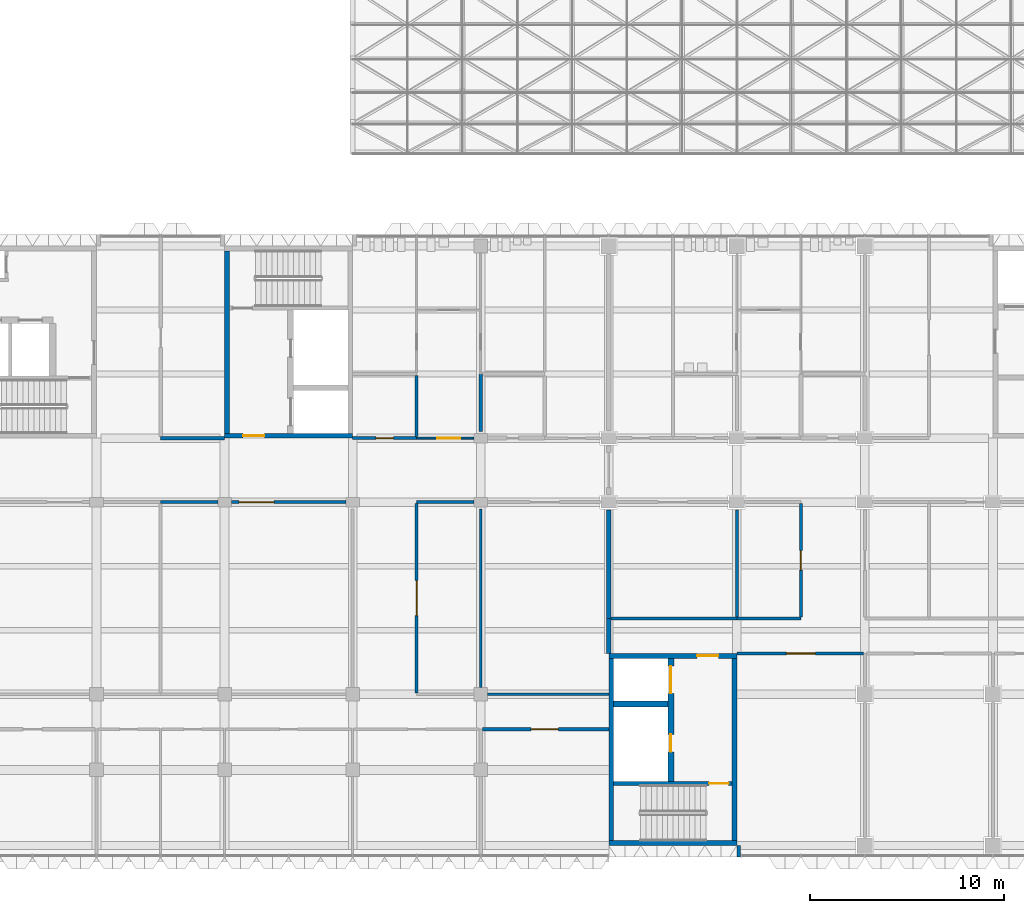
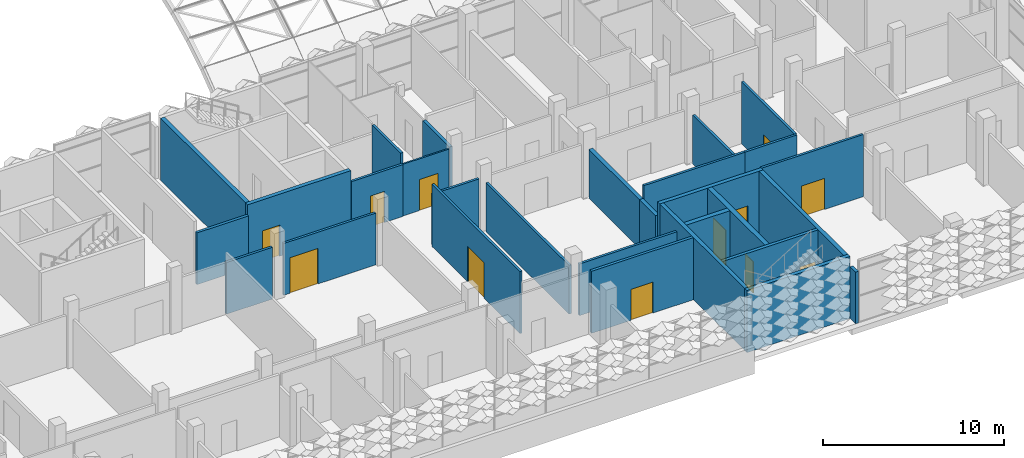
# One storey, part 27 of 85: 29 walls, 12 doors, 12 openings.
"""IFC4 building model written with IfcOpenShell, lengths in metres."""

from ifc_helpers import new_model, si_unit, direction, frame, frame_2d, origin, place, context, subcontext, project, spatial, rectangle, extrude, material, layer, layer_set, type_object, element, fill, save


model = new_model("IFC4")

# Units and contexts
model_context = context("Model", 3, precision=1e-05, world=origin(), true_north=direction((0.0, 1.0)))
body_context = subcontext(model_context, "Body", "Model", "MODEL_VIEW")
ifc_project = project(units=[si_unit("LENGTHUNIT", "METRE"), si_unit("AREAUNIT", "SQUARE_METRE"), si_unit("VOLUMEUNIT", "CUBIC_METRE"), si_unit("PLANEANGLEUNIT", "RADIAN"), si_unit("MASSUNIT", "GRAM", prefix="KILO")], contexts=[model_context])

# Site, building, storey
site_placement = place(None, origin())
site = spatial("IfcSite", under=ifc_project, at=site_placement, CompositionType="ELEMENT")
building_placement = place(site_placement, origin())
building = spatial("IfcBuilding", under=site, at=building_placement, Name="Lantern Court Research Institute", CompositionType="ELEMENT")
storey_placement = place(building_placement, frame((0.0, 0.0, 18.89990234375)))
storey = spatial("IfcBuildingStorey", under=building, at=storey_placement, Name="L04", CompositionType="ELEMENT", Elevation=18.89990234375)

# Wall
ifc_material_1 = material(Name="Double-stud acoustic gypsum board partition, mineral wool filled")
ifc_layer_1 = layer(ifc_material_1, 0.175048828125)
ifc_layer_set_1 = layer_set([ifc_layer_1], Name="Double-stud acoustic gypsum board partition, mineral wool filled")
wall_type_1 = type_object("IfcWallType", Name="Acoustic partition 175 EI 60", PredefinedType="PARTITIONING", material=ifc_layer_set_1)
wall_1_placement = place(storey_placement, frame((33.0, 13.199951171875, 0.0), z_axis=(0.0, 0.0, 1.0), x_axis=(-1.0, 0.0, 0.0)))
element("IfcWall", 1, at=wall_1_placement, inside=storey, type_object=wall_type_1, Name="Acoustic partition 175 EI 60", PredefinedType="PARTITIONING", context=body_context, shape_type="SweptSolid", body=[
    extrude(rectangle(XDim=3.300048828125, YDim=0.175048828125, at=frame_2d((1.64990234375, 0.0))), origin(), (0.0, 0.0, 1.0), 3.5),
])

# Wall, opening, door
wall_2_placement = place(storey_placement, frame((52.7998046875, -1.800048828125, 0.0), z_axis=(0.0, 0.0, 1.0), x_axis=(-1.0, 0.0, 0.0)))
wall_2 = element("IfcWall", 2, at=wall_2_placement, inside=storey, type_object=wall_type_1, Name="Acoustic partition 175 EI 60", PredefinedType="PARTITIONING", context=body_context, shape_type="SweptSolid", body=[
    extrude(rectangle(XDim=6.51220703125, YDim=0.175048828125, at=frame_2d((3.256103515625, 0.0))), origin(), (0.0, 0.0, 1.0), 4.2001953125),
])
opening_1_placement = place(wall_2_placement, frame((2.599853515625, 0.0, 0.0)))
opening_1 = element("IfcOpeningElement", 3, at=opening_1_placement, cuts=wall_2, Name="Opening D4421", PredefinedType="OPENING", context=body_context, shape_type="SweptSolid", body=[
    extrude(rectangle(XDim=1.39990234375, YDim=2.10009765625, at=frame_2d((0.699951171875, 1.050048828125))), frame((0.0, 0.097412109375, 0.0), z_axis=(0.0, -1.0, 0.0), x_axis=(1.0, 0.0, 0.0)), (0.0, 0.0, 1.0), 0.195068359375),
])
ifc_material_2 = material(Name="Solid-core timber door leaf", Category="wood")
ifc_layer_2 = layer(ifc_material_2, 0.053955078125)
ifc_layer_set_2 = layer_set([ifc_layer_2], Name="Solid-core timber door leaf")
door_type_1 = type_object("IfcDoorType", Name="Seminar room door 1400 x 2100 pair FD30S", OperationType="DOUBLE_DOOR_SINGLE_SWING", PredefinedType="DOOR", material=ifc_layer_set_2)
door_1_placement = place(opening_1_placement, origin())
door_1 = element("IfcDoor", 4, at=door_1_placement, inside=storey, type_object=door_type_1, Name="Door D4421", OperationType="DOUBLE_DOOR_SINGLE_SWING", OverallHeight=2.10009765625, OverallWidth=1.39990234375, PredefinedType="DOOR", context=body_context, shape_type="SweptSolid", body=[
    extrude(rectangle(XDim=1.39990234375, YDim=2.10009765625, at=frame_2d((0.699951171875, 1.050048828125))), frame((0.0, 0.02685546875, 0.0), z_axis=(0.0, -1.0, 0.0), x_axis=(1.0, 0.0, 0.0)), (0.0, 0.0, 1.0), 0.053955078125),
])
fill(opening_1, door_1)

# Wall
ifc_material_3 = material(Name="Fire-rated gypsum board partition, mineral wool filled")
ifc_layer_3 = layer(ifc_material_3, 0.199951171875)
ifc_layer_set_3 = layer_set([ifc_layer_3], Name="Fire-rated gypsum board partition, mineral wool filled")
wall_type_2 = type_object("IfcWallType", Name="Compartment wall 200 EI 120", PredefinedType="PARTITIONING", material=ifc_layer_set_3)
wall_3_placement = place(storey_placement, frame((46.199951171875, 13.550048828125, 0.0), z_axis=(0.0, 0.0, 1.0), x_axis=(0.0, 1.0, 0.0)))
element("IfcWall", 5, at=wall_3_placement, inside=storey, type_object=wall_type_2, Name="Compartment wall 200 EI 120", PredefinedType="PARTITIONING", context=body_context, shape_type="SweptSolid", body=[
    extrude(rectangle(XDim=2.949951171875, YDim=0.199951171875, at=frame_2d((1.47509765625, 0.0))), origin(), (0.0, 0.0, 1.0), 3.300048828125),
])

# Wall, opening, door
ifc_material_4 = material(Name="Fire-rated gypsum board partition, mineral wool filled")
ifc_layer_4 = layer(ifc_material_4, 0.14990234375)
ifc_layer_set_4 = layer_set([ifc_layer_4], Name="Fire-rated gypsum board partition, mineral wool filled")
wall_type_3 = type_object("IfcWallType", Name="Laboratory partition 150 EI 60", PredefinedType="PARTITIONING", material=ifc_layer_set_4)
wall_4_placement = place(storey_placement, frame((42.89990234375, 13.199951171875, 0.0), z_axis=(0.0, 0.0, 1.0), x_axis=(-1.0, 0.0, 0.0)))
wall_4 = element("IfcWall", 6, at=wall_4_placement, inside=storey, type_object=wall_type_3, Name="Laboratory partition 150 EI 60", PredefinedType="PARTITIONING", context=body_context, shape_type="SweptSolid", body=[
    extrude(rectangle(XDim=3.2998046875, YDim=0.14990234375, at=frame_2d((1.64990234375, 0.0))), origin(), (0.0, 0.0, 1.0), 3.5),
])
opening_2_placement = place(wall_4_placement, frame((1.199951171875, 0.0, 0.0)))
opening_2 = element("IfcOpeningElement", 7, at=opening_2_placement, cuts=wall_4, Name="Opening D4405", PredefinedType="OPENING", context=body_context, shape_type="SweptSolid", body=[
    extrude(rectangle(XDim=0.89990234375, YDim=2.10009765625, at=frame_2d((0.449951171875, 1.050048828125))), frame((0.0, 0.0849609375, 0.0), z_axis=(0.0, -1.0, 0.0), x_axis=(1.0, 0.0, 0.0)), (0.0, 0.0, 1.0), 0.169921875),
])
ifc_material_5 = material(Name="Solid-core timber door leaf", Category="wood")
ifc_layer_5 = layer(ifc_material_5, 0.053955078125)
ifc_layer_set_5 = layer_set([ifc_layer_5], Name="Solid-core timber door leaf")
door_type_2 = type_object("IfcDoorType", Name="Cleaners store door 900 x 2100 single FD30S", OperationType="NOTDEFINED", PredefinedType="DOOR", material=ifc_layer_set_5)
door_2_placement = place(opening_2_placement, origin())
door_2 = element("IfcDoor", 8, at=door_2_placement, inside=storey, type_object=door_type_2, Name="Door D4405", OperationType="SINGLE_SWING_LEFT", OverallHeight=2.10009765625, OverallWidth=0.89990234375, PredefinedType="DOOR", context=body_context, shape_type="SweptSolid", body=[
    extrude(rectangle(XDim=0.89990234375, YDim=2.10009765625, at=frame_2d((0.449951171875, 1.050048828125))), frame((0.0, 0.02685546875, 0.0), z_axis=(0.0, -1.0, 0.0), x_axis=(1.0, 0.0, 0.0)), (0.0, 0.0, 1.0), 0.053955078125),
])
fill(opening_2, door_2)

# Wall
wall_5_placement = place(storey_placement, frame((29.699951171875, 9.89990234375, 0.0), z_axis=(0.0, 0.0, 1.0), x_axis=(1.0, 0.0, 0.0)))
element("IfcWall", 9, at=wall_5_placement, inside=storey, type_object=wall_type_3, Name="Laboratory partition 150 EI 60", PredefinedType="PARTITIONING", context=body_context, shape_type="SweptSolid", body=[
    extrude(rectangle(XDim=2.949951171875, YDim=0.14990234375, at=frame_2d((1.47509765625, 0.0))), origin(), (0.0, 0.0, 1.0), 3.5),
])

# Wall, opening, door
wall_6_placement = place(storey_placement, frame((33.35009765625, 9.89990234375, 0.0), z_axis=(0.0, 0.0, 1.0), x_axis=(1.0, 0.0, 0.0)))
wall_6 = element("IfcWall", 10, at=wall_6_placement, inside=storey, type_object=wall_type_3, Name="Laboratory partition 150 EI 60", PredefinedType="PARTITIONING", context=body_context, shape_type="SweptSolid", body=[
    extrude(rectangle(XDim=5.89990234375, YDim=0.14990234375, at=frame_2d((2.949951171875, 0.0))), origin(), (0.0, 0.0, 1.0), 3.5),
])
opening_3_placement = place(wall_6_placement, frame((0.39990234375, 0.0, 0.0)))
opening_3 = element("IfcOpeningElement", 11, at=opening_3_placement, cuts=wall_6, Name="Opening D4425", PredefinedType="OPENING", context=body_context, shape_type="SweptSolid", body=[
    extrude(rectangle(XDim=1.800048828125, YDim=2.39990234375, at=frame_2d((0.89990234375, 1.199951171875))), frame((0.0, 0.0849609375, 0.0), z_axis=(0.0, -1.0, 0.0), x_axis=(1.0, 0.0, 0.0)), (0.0, 0.0, 1.0), 0.169921875),
])
ifc_material_6 = material(Name="Solid-core timber door leaf with vision panel", Category="wood")
ifc_layer_6 = layer(ifc_material_6, 0.053955078125)
ifc_layer_set_6 = layer_set([ifc_layer_6], Name="Solid-core timber door leaf with vision panel")
door_type_3 = type_object("IfcDoorType", Name="Laboratory equipment door 1800 x 2400 pair FD30S", OperationType="DOUBLE_DOOR_SINGLE_SWING", PredefinedType="DOOR", material=ifc_layer_set_6)
door_3_placement = place(opening_3_placement, origin())
door_3 = element("IfcDoor", 12, at=door_3_placement, inside=storey, type_object=door_type_3, Name="Door D4425", OperationType="DOUBLE_DOOR_SINGLE_SWING", OverallHeight=2.39990234375, OverallWidth=1.800048828125, PredefinedType="DOOR", context=body_context, shape_type="SweptSolid", body=[
    extrude(rectangle(XDim=1.800048828125, YDim=2.39990234375, at=frame_2d((0.89990234375, 1.199951171875))), frame((0.0, 0.02685546875, 0.0), z_axis=(0.0, -1.0, 0.0), x_axis=(1.0, 0.0, 0.0)), (0.0, 0.0, 1.0), 0.053955078125),
])
fill(opening_3, door_3)

# Walls
wall_7_placement = place(storey_placement, frame((42.89990234375, 9.89990234375, 0.0), z_axis=(0.0, 0.0, 1.0), x_axis=(1.0, 0.0, 0.0)))
element("IfcWall", 13, at=wall_7_placement, inside=storey, type_object=wall_type_3, Name="Laboratory partition 150 EI 60", PredefinedType="PARTITIONING", context=body_context, shape_type="SweptSolid", body=[
    extrude(rectangle(XDim=2.9501953125, YDim=0.14990234375, at=frame_2d((1.47509765625, 0.0))), origin(), (0.0, 0.0, 1.0), 3.5),
])
wall_8_placement = place(storey_placement, frame((42.89990234375, 13.27490234375, 0.0), z_axis=(0.0, 0.0, 1.0), x_axis=(0.0, 1.0, 0.0)))
element("IfcWall", 14, at=wall_8_placement, inside=storey, type_object=wall_type_3, Name="Laboratory partition 150 EI 60", PredefinedType="PARTITIONING", context=body_context, shape_type="SweptSolid", body=[
    extrude(rectangle(XDim=3.150146484375, YDim=0.14990234375, at=frame_2d((1.5751953125, 0.0))), origin(), (0.0, 0.0, 1.0), 4.2001953125),
])
wall_9_placement = place(storey_placement, frame((52.7998046875, 0.0, 0.0), z_axis=(0.0, 0.0, 1.0), x_axis=(-1.0, 0.0, 0.0)))
element("IfcWall", 15, at=wall_9_placement, inside=storey, type_object=wall_type_3, Name="Laboratory partition 150 EI 60", PredefinedType="PARTITIONING", context=body_context, shape_type="SweptSolid", body=[
    extrude(rectangle(XDim=6.249755859375, YDim=0.14990234375, at=frame_2d((3.125, 0.0))), origin(), (0.0, 0.0, 1.0), 3.5),
])

# Wall, opening, door
wall_10_placement = place(storey_placement, frame((42.89990234375, 0.074951171875, 0.0), z_axis=(0.0, 0.0, 1.0), x_axis=(0.0, 1.0, 0.0)))
wall_10 = element("IfcWall", 16, at=wall_10_placement, inside=storey, type_object=wall_type_3, Name="Laboratory partition 150 EI 60", PredefinedType="PARTITIONING", context=body_context, shape_type="SweptSolid", body=[
    extrude(rectangle(XDim=9.75, YDim=0.14990234375, at=frame_2d((4.875, 0.0))), origin(), (0.0, 0.0, 1.0), 4.2001953125),
])
opening_4_placement = place(wall_10_placement, frame((3.97509765625, 0.0, 0.0)))
opening_4 = element("IfcOpeningElement", 17, at=opening_4_placement, cuts=wall_10, Name="Opening D4426", PredefinedType="OPENING", context=body_context, shape_type="SweptSolid", body=[
    extrude(rectangle(XDim=1.800048828125, YDim=2.39990234375, at=frame_2d((0.89990234375, 1.199951171875))), frame((0.0, 0.0849609375, 0.0), z_axis=(0.0, -1.0, 0.0), x_axis=(1.0, 0.0, 0.0)), (0.0, 0.0, 1.0), 0.169921875),
])
door_4_placement = place(opening_4_placement, origin())
door_4 = element("IfcDoor", 18, at=door_4_placement, inside=storey, type_object=door_type_3, Name="Door D4426", OperationType="DOUBLE_DOOR_SINGLE_SWING", OverallHeight=2.39990234375, OverallWidth=1.800048828125, PredefinedType="DOOR", context=body_context, shape_type="SweptSolid", body=[
    extrude(rectangle(XDim=1.800048828125, YDim=2.39990234375, at=frame_2d((0.89990234375, 1.199951171875))), frame((0.0, 0.02685546875, 0.0), z_axis=(0.0, -1.0, 0.0), x_axis=(1.0, 0.0, 0.0)), (0.0, 0.0, 1.0), 0.053955078125),
])
fill(opening_4, door_4)

# Wall
wall_11_placement = place(storey_placement, frame((46.199951171875, 0.35009765625, 0.0), z_axis=(0.0, 0.0, 1.0), x_axis=(0.0, 1.0, 0.0)))
element("IfcWall", 19, at=wall_11_placement, inside=storey, type_object=wall_type_3, Name="Laboratory partition 150 EI 60", PredefinedType="PARTITIONING", context=body_context, shape_type="SweptSolid", body=[
    extrude(rectangle(XDim=9.199951171875, YDim=0.14990234375, at=frame_2d((4.60009765625, 0.0))), origin(), (0.0, 0.0, 1.0), 3.300048828125),
])

# Wall, opening, door
wall_12_placement = place(storey_placement, frame((65.925048828125, 2.10009765625, 0.0), z_axis=(0.0, 0.0, 1.0), x_axis=(-1.0, 0.0, 0.0)))
wall_12 = element("IfcWall", 20, at=wall_12_placement, inside=storey, type_object=wall_type_3, Name="Laboratory partition 150 EI 60", PredefinedType="PARTITIONING", context=body_context, shape_type="SweptSolid", body=[
    extrude(rectangle(XDim=6.52490234375, YDim=0.14990234375, at=frame_2d((3.262451171875, 0.0))), origin(), (0.0, 0.0, 1.0), 4.2001953125),
])
opening_5_placement = place(wall_12_placement, frame((2.47509765625, 0.0, 0.0)))
opening_5 = element("IfcOpeningElement", 21, at=opening_5_placement, cuts=wall_12, Name="Opening D5409", PredefinedType="OPENING", context=body_context, shape_type="SweptSolid", body=[
    extrude(rectangle(XDim=1.5, YDim=2.10009765625, at=frame_2d((0.75, 1.050048828125))), frame((0.0, 0.0849609375, 0.0), z_axis=(0.0, -1.0, 0.0), x_axis=(1.0, 0.0, 0.0)), (0.0, 0.0, 1.0), 0.169921875),
])
ifc_material_7 = material(Name="Solid-core timber door leaf with vision panel", Category="wood")
ifc_layer_7 = layer(ifc_material_7, 0.053955078125)
ifc_layer_set_7 = layer_set([ifc_layer_7], Name="Solid-core timber door leaf with vision panel")
door_type_4 = type_object("IfcDoorType", Name="Laboratory double door 1500 x 2100 pair FD30S", OperationType="DOUBLE_DOOR_SINGLE_SWING", PredefinedType="DOOR", material=ifc_layer_set_7)
door_5_placement = place(opening_5_placement, origin())
door_5 = element("IfcDoor", 22, at=door_5_placement, inside=storey, type_object=door_type_4, Name="Door D5409", OperationType="DOUBLE_DOOR_SINGLE_SWING", OverallHeight=2.10009765625, OverallWidth=1.5, PredefinedType="DOOR", context=body_context, shape_type="SweptSolid", body=[
    extrude(rectangle(XDim=1.5, YDim=2.10009765625, at=frame_2d((0.75, 1.050048828125))), frame((0.0, 0.02685546875, 0.0), z_axis=(0.0, -1.0, 0.0), x_axis=(1.0, 0.0, 0.0)), (0.0, 0.0, 1.0), 0.053955078125),
])
fill(opening_5, door_5)

# Walls
wall_13_placement = place(storey_placement, frame((59.39990234375, 3.89990234375, 0.0), z_axis=(0.0, 0.0, 1.0), x_axis=(-1.0, 0.0, 0.0)))
element("IfcWall", 23, at=wall_13_placement, inside=storey, type_object=wall_type_3, Name="Laboratory partition 150 EI 60", PredefinedType="PARTITIONING", context=body_context, shape_type="SweptSolid", body=[
    extrude(rectangle(XDim=6.474853515625, YDim=0.14990234375, at=frame_2d((3.2373046875, 0.0))), origin(), (0.0, 0.0, 1.0), 4.2001953125),
])
wall_14_placement = place(storey_placement, frame((62.699951171875, 3.89990234375, 0.0), z_axis=(0.0, 0.0, 1.0), x_axis=(-1.0, 0.0, 0.0)))
element("IfcWall", 24, at=wall_14_placement, inside=storey, type_object=wall_type_3, Name="Laboratory partition 150 EI 60", PredefinedType="PARTITIONING", context=body_context, shape_type="SweptSolid", body=[
    extrude(rectangle(XDim=3.300048828125, YDim=0.14990234375, at=frame_2d((1.64990234375, 0.0))), origin(), (0.0, 0.0, 1.0), 4.2001953125),
])
wall_15_placement = place(storey_placement, frame((59.39990234375, 3.97509765625, 0.0), z_axis=(0.0, 0.0, 1.0), x_axis=(0.0, 1.0, 0.0)))
element("IfcWall", 25, at=wall_15_placement, inside=storey, type_object=wall_type_3, Name="Laboratory partition 150 EI 60", PredefinedType="PARTITIONING", context=body_context, shape_type="SweptSolid", body=[
    extrude(rectangle(XDim=5.52490234375, YDim=0.14990234375, at=frame_2d((2.762451171875, 0.0))), origin(), (0.0, 0.0, 1.0), 3.300048828125),
])

# Wall, opening, door
wall_16_placement = place(storey_placement, frame((62.699951171875, 9.824951171875, 0.0), z_axis=(0.0, 0.0, 1.0), x_axis=(0.0, -1.0, 0.0)))
wall_16 = element("IfcWall", 26, at=wall_16_placement, inside=storey, type_object=wall_type_3, Name="Laboratory partition 150 EI 60", PredefinedType="PARTITIONING", context=body_context, shape_type="SweptSolid", body=[
    extrude(rectangle(XDim=5.849853515625, YDim=0.14990234375, at=frame_2d((2.9248046875, 0.0))), origin(), (0.0, 0.0, 1.0), 4.2001953125),
])
opening_6_placement = place(wall_16_placement, frame((2.425048828125, 0.0, 0.0)))
opening_6 = element("IfcOpeningElement", 27, at=opening_6_placement, cuts=wall_16, Name="Opening D5413", PredefinedType="OPENING", context=body_context, shape_type="SweptSolid", body=[
    extrude(rectangle(XDim=1.0, YDim=2.10009765625, at=frame_2d((0.5, 1.050048828125))), frame((0.0, 0.0849609375, 0.0), z_axis=(0.0, -1.0, 0.0), x_axis=(1.0, 0.0, 0.0)), (0.0, 0.0, 1.0), 0.169921875),
])
ifc_material_8 = material(Name="Solid-core timber door leaf with vision panel", Category="wood")
ifc_layer_8 = layer(ifc_material_8, 0.053955078125)
ifc_layer_set_8 = layer_set([ifc_layer_8], Name="Solid-core timber door leaf with vision panel")
door_type_5 = type_object("IfcDoorType", Name="Laboratory door 1000 x 2100 single FD30S", OperationType="NOTDEFINED", PredefinedType="DOOR", material=ifc_layer_set_8)
door_6_placement = place(opening_6_placement, origin())
door_6 = element("IfcDoor", 28, at=door_6_placement, inside=storey, type_object=door_type_5, Name="Door D5413", OperationType="SINGLE_SWING_RIGHT", OverallHeight=2.10009765625, OverallWidth=1.0, PredefinedType="DOOR", context=body_context, shape_type="SweptSolid", body=[
    extrude(rectangle(XDim=1.0, YDim=2.10009765625, at=frame_2d((0.5, 1.050048828125))), frame((0.0, 0.02685546875, 0.0), z_axis=(0.0, -1.0, 0.0), x_axis=(1.0, 0.0, 0.0)), (0.0, 0.0, 1.0), 0.053955078125),
])
fill(opening_6, door_6)

ifc_material_9 = material(Name="Gypsum board partition, mineral wool filled")
ifc_layer_9 = layer(ifc_material_9, 0.10009765625)
ifc_layer_set_9 = layer_set([ifc_layer_9], Name="Gypsum board partition, mineral wool filled")
wall_type_4 = type_object("IfcWallType", Name="Partition 100", PredefinedType="PARTITIONING", material=ifc_layer_set_9)
wall_17_placement = place(storey_placement, frame((42.89990234375, 13.199951171875, 0.0), z_axis=(0.0, 0.0, 1.0), x_axis=(1.0, 0.0, 0.0)))
wall_17 = element("IfcWall", 29, at=wall_17_placement, inside=storey, type_object=wall_type_4, Name="Partition 100", PredefinedType="PARTITIONING", context=body_context, shape_type="SweptSolid", body=[
    extrude(rectangle(XDim=2.9501953125, YDim=0.10009765625, at=frame_2d((1.47509765625, 0.0))), origin(), (0.0, 0.0, 1.0), 3.5),
])
opening_7_placement = place(wall_17_placement, frame((1.050048828125, 0.0, 0.0)))
opening_7 = element("IfcOpeningElement", 30, at=opening_7_placement, cuts=wall_17, Name="Opening D4407", PredefinedType="OPENING", context=body_context, shape_type="SweptSolid", body=[
    extrude(rectangle(XDim=1.199951171875, YDim=2.10009765625, at=frame_2d((0.60009765625, 1.050048828125))), frame((0.0, 0.06005859375, 0.0), z_axis=(0.0, -1.0, 0.0), x_axis=(1.0, 0.0, 0.0)), (0.0, 0.0, 1.0), 0.1201171875),
])
ifc_material_10 = material(Name="Solid-core timber door leaf", Category="wood")
ifc_layer_10 = layer(ifc_material_10, 0.0439453125)
ifc_layer_set_10 = layer_set([ifc_layer_10], Name="Solid-core timber door leaf")
door_type_6 = type_object("IfcDoorType", Name="WC vestibule door 1200 x 2100 single NOT RATED", OperationType="NOTDEFINED", PredefinedType="DOOR", material=ifc_layer_set_10)
door_7_placement = place(opening_7_placement, origin())
door_7 = element("IfcDoor", 31, at=door_7_placement, inside=storey, type_object=door_type_6, Name="Door D4407", OperationType="SINGLE_SWING_RIGHT", OverallHeight=2.10009765625, OverallWidth=1.199951171875, PredefinedType="DOOR", context=body_context, shape_type="SweptSolid", body=[
    extrude(rectangle(XDim=1.199951171875, YDim=2.10009765625, at=frame_2d((0.60009765625, 1.050048828125))), frame((0.0, 0.02197265625, 0.0), z_axis=(0.0, -1.0, 0.0), x_axis=(1.0, 0.0, 0.0)), (0.0, 0.0, 1.0), 0.0439453125),
])
fill(opening_7, door_7)

# Walls
ifc_material_11 = material(Name="Fire-rated gypsum board partition, double stud, mineral wool filled")
ifc_layer_11 = layer(ifc_material_11, 0.25)
ifc_layer_set_11 = layer_set([ifc_layer_11], Name="Fire-rated gypsum board partition, double stud, mineral wool filled")
wall_type_5 = type_object("IfcWallType", Name="Plant compartment wall 250 EI 120", PredefinedType="PARTITIONING", material=ifc_layer_set_11)
wall_18_placement = place(storey_placement, frame((52.800048828125, 2.10009765625, 0.0), z_axis=(0.0, 0.0, 1.0), x_axis=(0.0, 1.0, 0.0)))
element("IfcWall", 32, at=wall_18_placement, inside=storey, type_object=wall_type_5, Name="Plant compartment wall 250 EI 120", PredefinedType="PARTITIONING", context=body_context, shape_type="SweptSolid", body=[
    extrude(rectangle(XDim=1.7998046875, YDim=0.25, at=frame_2d((0.89990234375, 0.0))), origin(), (0.0, 0.0, 1.0), 3.300048828125),
])
wall_19_placement = place(storey_placement, frame((52.800048828125, 3.89990234375, 0.0), z_axis=(0.0, 0.0, 1.0), x_axis=(0.0, 1.0, 0.0)))
element("IfcWall", 33, at=wall_19_placement, inside=storey, type_object=wall_type_5, Name="Plant compartment wall 250 EI 120", PredefinedType="PARTITIONING", context=body_context, shape_type="SweptSolid", body=[
    extrude(rectangle(XDim=5.60009765625, YDim=0.25, at=frame_2d((2.800048828125, 0.0))), origin(), (0.0, 0.0, 1.0), 3.300048828125),
])

# Wall, opening, door
ifc_material_12 = material(Name="Concrete C40/50", Category="concrete")
ifc_layer_12 = layer(ifc_material_12, 0.25)
ifc_layer_set_12 = layer_set([ifc_layer_12], Name="Concrete C40/50")
wall_type_6 = type_object("IfcWallType", Name="RC core wall 250", PredefinedType="SHEAR", material=ifc_layer_set_12)
wall_20_placement = place(storey_placement, frame((33.0, 13.324951171875, 0.0), z_axis=(0.0, 0.0, 1.0), x_axis=(1.0, 0.0, 0.0)))
wall_20 = element("IfcWall", 34, at=wall_20_placement, inside=storey, type_object=wall_type_6, Name="South wall of core BC-E", PredefinedType="SHEAR", context=body_context, shape_type="SweptSolid", body=[
    extrude(rectangle(XDim=6.60009765625, YDim=0.25, at=frame_2d((3.300048828125, 0.0))), origin(), (0.0, 0.0, 1.0), 4.2001953125),
])
opening_8_placement = place(wall_20_placement, frame((0.949951171875, 0.0, 0.0)))
opening_8 = element("IfcOpeningElement", 35, at=opening_8_placement, cuts=wall_20, Name="Opening D7088", PredefinedType="OPENING", context=body_context, shape_type="SweptSolid", body=[
    extrude(rectangle(XDim=1.10009765625, YDim=2.10009765625, at=frame_2d((0.550048828125, 1.050048828125))), frame((0.0, 0.135009765625, 0.0), z_axis=(0.0, -1.0, 0.0), x_axis=(1.0, 0.0, 0.0)), (0.0, 0.0, 1.0), 0.27001953125),
])
ifc_material_13 = material(Name="Steel fire door leaf with smoke seals", Category="steel")
door_type_7 = type_object("IfcDoorType", Name="Door 1100 x 2100 fire rated FD60S", OperationType="NOTDEFINED", PredefinedType="DOOR", material=ifc_material_13)
door_8_placement = place(opening_8_placement, origin())
door_8 = element("IfcDoor", 36, at=door_8_placement, inside=storey, type_object=door_type_7, Name="Lobby door", OperationType="SINGLE_SWING_RIGHT", OverallHeight=2.10009765625, OverallWidth=1.10009765625, PredefinedType="DOOR", context=body_context, shape_type="SweptSolid", body=[
    extrude(rectangle(XDim=1.10009765625, YDim=2.10009765625, at=frame_2d((0.550048828125, 1.050048828125))), frame((0.0, 0.02490234375, 0.0), z_axis=(0.0, -1.0, 0.0), x_axis=(1.0, 0.0, 0.0)), (0.0, 0.0, 1.0), 0.050048828125),
])
fill(opening_8, door_8)

# Wall
wall_21_placement = place(storey_placement, frame((33.125, 13.449951171875, 0.0), z_axis=(0.0, 0.0, 1.0), x_axis=(0.0, 1.0, 0.0)))
element("IfcWall", 37, at=wall_21_placement, inside=storey, type_object=wall_type_6, Name="West wall of core BC-E", PredefinedType="SHEAR", context=body_context, shape_type="SweptSolid", body=[
    extrude(rectangle(XDim=9.400146484375, YDim=0.25, at=frame_2d((4.7001953125, 0.0))), origin(), (0.0, 0.0, 1.0), 4.2001953125),
])

# Wall, opening, door
wall_22_placement = place(storey_placement, frame((59.39990234375, 1.97509765625, 0.0), z_axis=(0.0, 0.0, 1.0), x_axis=(-1.0, 0.0, 0.0)))
wall_22 = element("IfcWall", 38, at=wall_22_placement, inside=storey, type_object=wall_type_6, Name="North wall of core TC-W", PredefinedType="SHEAR", context=body_context, shape_type="SweptSolid", body=[
    extrude(rectangle(XDim=6.599853515625, YDim=0.25, at=frame_2d((3.2998046875, 0.0))), origin(), (0.0, 0.0, 1.0), 4.2001953125),
])
opening_9_placement = place(wall_22_placement, frame((0.949951171875, 0.0, 0.0)))
opening_9 = element("IfcOpeningElement", 39, at=opening_9_placement, cuts=wall_22, Name="Opening D7117", PredefinedType="OPENING", context=body_context, shape_type="SweptSolid", body=[
    extrude(rectangle(XDim=1.10009765625, YDim=2.10009765625, at=frame_2d((0.550048828125, 1.050048828125))), frame((0.0, 0.135009765625, 0.0), z_axis=(0.0, -1.0, 0.0), x_axis=(1.0, 0.0, 0.0)), (0.0, 0.0, 1.0), 0.27001953125),
])
door_9_placement = place(opening_9_placement, origin())
door_9 = element("IfcDoor", 40, at=door_9_placement, inside=storey, type_object=door_type_7, Name="Lobby door", OperationType="SINGLE_SWING_RIGHT", OverallHeight=2.10009765625, OverallWidth=1.10009765625, PredefinedType="DOOR", context=body_context, shape_type="SweptSolid", body=[
    extrude(rectangle(XDim=1.10009765625, YDim=2.10009765625, at=frame_2d((0.550048828125, 1.050048828125))), frame((0.0, 0.02490234375, 0.0), z_axis=(0.0, -1.0, 0.0), x_axis=(1.0, 0.0, 0.0)), (0.0, 0.0, 1.0), 0.050048828125),
])
fill(opening_9, door_9)

# Walls
for number, where, z_axis, x_axis, name in (
    (41, (59.27490234375, 1.85009765625, 0.0), (0.0, 0.0, 1.0), (0.0, -1.0, 0.0), "East wall of core TC-W"),
    (42, (52.925048828125, 1.85009765625, 0.0), (0.0, 0.0, 1.0), (0.0, -1.0, 0.0), "West wall of core TC-W"),
):
    element("IfcWall", number, at=place(storey_placement, frame(where, z_axis=z_axis, x_axis=x_axis)), inside=storey, type_object=wall_type_6, Name=name, PredefinedType="SHEAR", context=body_context, shape_type="SweptSolid", body=[
        extrude(rectangle(XDim=9.400146484375, YDim=0.25, at=frame_2d((4.7001953125, 0.0))), origin(), (0.0, 0.0, 1.0), 4.2001953125),
    ])
ifc_material_14 = material(Name="Concrete C40/50", Category="concrete")
ifc_layer_13 = layer(ifc_material_14, 0.25)
ifc_layer_set_13 = layer_set([ifc_layer_13], Name="Concrete C40/50")
wall_type_7 = type_object("IfcWallType", Name="RC core wall 250 facade", PredefinedType="SHEAR", material=ifc_layer_set_13)
wall_23_placement = place(storey_placement, frame((59.39990234375, -7.675048828125, 0.0), z_axis=(0.0, 0.0, 1.0), x_axis=(-1.0, 0.0, 0.0)))
element("IfcWall", 43, at=wall_23_placement, inside=storey, type_object=wall_type_7, Name="South wall of core TC-W", PredefinedType="SHEAR", context=body_context, shape_type="SweptSolid", body=[
    extrude(rectangle(XDim=6.599853515625, YDim=0.25, at=frame_2d((3.2998046875, 0.0))), origin(), (0.0, 0.0, 1.0), 4.2001953125),
])

# Wall, opening, door
ifc_material_15 = material(Name="Concrete C40/50", Category="concrete")
ifc_layer_14 = layer(ifc_material_15, 0.199951171875)
ifc_layer_set_14 = layer_set([ifc_layer_14], Name="Concrete C40/50")
wall_type_8 = type_object("IfcWallType", Name="RC shaft wall 200", PredefinedType="SHEAR", material=ifc_layer_set_14)
wall_24_placement = place(storey_placement, frame((59.14990234375, -4.60009765625, 0.0), z_axis=(0.0, 0.0, 1.0), x_axis=(-1.0, 0.0, 0.0)))
wall_24 = element("IfcWall", 44, at=wall_24_placement, inside=storey, type_object=wall_type_8, Name="Stair wall of core TC-W", PredefinedType="SHEAR", context=body_context, shape_type="SweptSolid", body=[
    extrude(rectangle(XDim=6.099853515625, YDim=0.199951171875, at=frame_2d((3.0498046875, 0.0))), origin(), (0.0, 0.0, 1.0), 4.2001953125),
])
opening_10_placement = place(wall_24_placement, frame((0.175048828125, 0.0, 0.0)))
opening_10 = element("IfcOpeningElement", 45, at=opening_10_placement, cuts=wall_24, Name="Opening D7118", PredefinedType="OPENING", context=body_context, shape_type="SweptSolid", body=[
    extrude(rectangle(XDim=1.0, YDim=2.10009765625, at=frame_2d((0.5, 1.050048828125))), frame((0.0, 0.10986328125, 0.0), z_axis=(0.0, -1.0, 0.0), x_axis=(1.0, 0.0, 0.0)), (0.0, 0.0, 1.0), 0.219970703125),
])
ifc_material_16 = material(Name="Steel fire door leaf with smoke seals", Category="steel")
door_type_8 = type_object("IfcDoorType", Name="Door 1000 x 2100 fire rated FD60S", OperationType="NOTDEFINED", PredefinedType="DOOR", material=ifc_material_16)
door_10_placement = place(opening_10_placement, origin())
door_10 = element("IfcDoor", 46, at=door_10_placement, inside=storey, type_object=door_type_8, Name="Stair door", OperationType="SINGLE_SWING_RIGHT", OverallHeight=2.10009765625, OverallWidth=1.0, PredefinedType="DOOR", context=body_context, shape_type="SweptSolid", body=[
    extrude(rectangle(XDim=1.0, YDim=2.10009765625, at=frame_2d((0.5, 1.050048828125))), frame((0.0, 0.02490234375, 0.0), z_axis=(0.0, -1.0, 0.0), x_axis=(1.0, 0.0, 0.0)), (0.0, 0.0, 1.0), 0.050048828125),
])
fill(opening_10, door_10)

# Wall, openings, doors
ifc_material_17 = material(Name="Concrete C40/50", Category="concrete")
ifc_layer_15 = layer(ifc_material_17, 0.300048828125)
ifc_layer_set_15 = layer_set([ifc_layer_15], Name="Concrete C40/50")
wall_type_9 = type_object("IfcWallType", Name="RC shaft wall 300", PredefinedType="SHEAR", material=ifc_layer_set_15)
wall_25_placement = place(storey_placement, frame((56.0, 1.85009765625, 0.0), z_axis=(0.0, 0.0, 1.0), x_axis=(0.0, -1.0, 0.0)))
wall_25 = element("IfcWall", 47, at=wall_25_placement, inside=storey, type_object=wall_type_9, Name="Lift shaft wall of core TC-W", PredefinedType="SHEAR", context=body_context, shape_type="SweptSolid", body=[
    extrude(rectangle(XDim=6.35009765625, YDim=0.300048828125, at=frame_2d((3.175048828125, 0.0))), origin(), (0.0, 0.0, 1.0), 4.2001953125),
])
opening_11_placement = place(wall_25_placement, frame((3.925048828125, 0.0, 0.0)))
opening_11 = element("IfcOpeningElement", 48, at=opening_11_placement, cuts=wall_25, Name="Opening D7116", PredefinedType="OPENING", context=body_context, shape_type="SweptSolid", body=[
    extrude(rectangle(XDim=0.89990234375, YDim=2.10009765625, at=frame_2d((0.449951171875, 1.050048828125))), frame((0.0, 0.159912109375, 0.0), z_axis=(0.0, -1.0, 0.0), x_axis=(1.0, 0.0, 0.0)), (0.0, 0.0, 1.0), 0.320068359375),
])
opening_12_placement = place(wall_25_placement, frame((0.39990234375, 0.0, 0.0)))
opening_12 = element("IfcOpeningElement", 49, at=opening_12_placement, cuts=wall_25, Name="Opening D7119", PredefinedType="OPENING", context=body_context, shape_type="SweptSolid", body=[
    extrude(rectangle(XDim=1.39990234375, YDim=2.39990234375, at=frame_2d((0.699951171875, 1.199951171875))), frame((0.0, 0.159912109375, 0.0), z_axis=(0.0, -1.0, 0.0), x_axis=(1.0, 0.0, 0.0)), (0.0, 0.0, 1.0), 0.320068359375),
])
ifc_material_18 = material(Name="Steel fire door leaf", Category="steel")
door_type_9 = type_object("IfcDoorType", Name="Door 900 x 2100 fire rated FD60", OperationType="NOTDEFINED", PredefinedType="DOOR", material=ifc_material_18)
door_11_placement = place(opening_11_placement, origin())
door_11 = element("IfcDoor", 50, at=door_11_placement, inside=storey, type_object=door_type_9, Name="Riser door", OperationType="SINGLE_SWING_RIGHT", OverallHeight=2.10009765625, OverallWidth=0.89990234375, PredefinedType="DOOR", context=body_context, shape_type="SweptSolid", body=[
    extrude(rectangle(XDim=0.89990234375, YDim=2.10009765625, at=frame_2d((0.449951171875, 1.050048828125))), frame((0.0, 0.02490234375, 0.0), z_axis=(0.0, -1.0, 0.0), x_axis=(1.0, 0.0, 0.0)), (0.0, 0.0, 1.0), 0.050048828125),
])
fill(opening_11, door_11)
ifc_material_19 = material(Name="Stainless steel landing door panels", Category="steel")
door_type_10 = type_object("IfcDoorType", Name="Lift landing door 1400 x 2400 sliding FD60", OperationType="DOUBLE_DOOR_SLIDING", PredefinedType="NOTDEFINED", material=ifc_material_19)
door_12_placement = place(opening_12_placement, origin())
door_12 = element("IfcDoor", 51, at=door_12_placement, inside=storey, type_object=door_type_10, Name="Landing door", OperationType="DOUBLE_DOOR_SLIDING", OverallHeight=2.39990234375, OverallWidth=1.39990234375, PredefinedType="NOTDEFINED", context=body_context, shape_type="SweptSolid", body=[
    extrude(rectangle(XDim=1.39990234375, YDim=2.39990234375, at=frame_2d((0.699951171875, 1.199951171875))), frame((0.0, 0.02490234375, 0.0), z_axis=(0.0, -1.0, 0.0), x_axis=(1.0, 0.0, 0.0)), (0.0, 0.0, 1.0), 0.050048828125),
])
fill(opening_12, door_12)

# Walls
wall_26_placement = place(storey_placement, frame((55.85009765625, -0.5, 0.0), z_axis=(0.0, 0.0, 1.0), x_axis=(-1.0, 0.0, 0.0)))
element("IfcWall", 52, at=wall_26_placement, inside=storey, type_object=wall_type_9, Name="Lift shaft wall of core TC-W", PredefinedType="SHEAR", context=body_context, shape_type="SweptSolid", body=[
    extrude(rectangle(XDim=2.800048828125, YDim=0.300048828125, at=frame_2d((1.39990234375, 0.0))), origin(), (0.0, 0.0, 1.0), 4.2001953125),
])
ifc_material_20 = material(Name="Concrete C40/50", Category="concrete")
ifc_layer_16 = layer(ifc_material_20, 0.199951171875)
ifc_layer_set_16 = layer_set([ifc_layer_16], Name="Concrete C40/50")
wall_type_10 = type_object("IfcWallType", Name="Return wall 200 concrete EI 120 aluminium faced", PredefinedType="STANDARD", material=ifc_layer_set_16)
wall_27_placement = place(storey_placement, frame((59.5, -7.800048828125, 0.0), z_axis=(0.0, 0.0, 1.0), x_axis=(0.0, -1.0, 0.0)))
element("IfcWall", 53, at=wall_27_placement, inside=storey, type_object=wall_type_10, Name="Core return wall 50", PredefinedType="STANDARD", context=body_context, shape_type="SweptSolid", body=[
    extrude(rectangle(XDim=0.599853515625, YDim=0.199951171875, at=frame_2d((0.2998046875, 0.0))), origin(), (0.0, 0.0, 1.0), 3.5),
])

save(model, "model.ifc")
